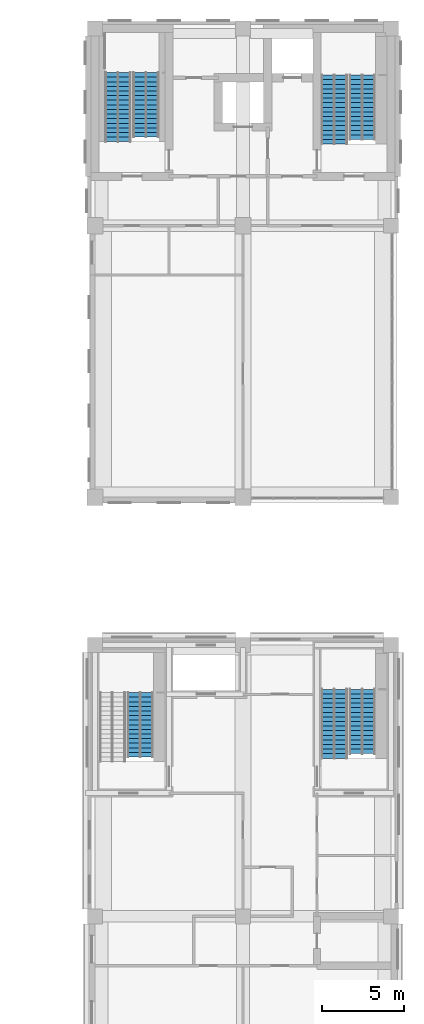
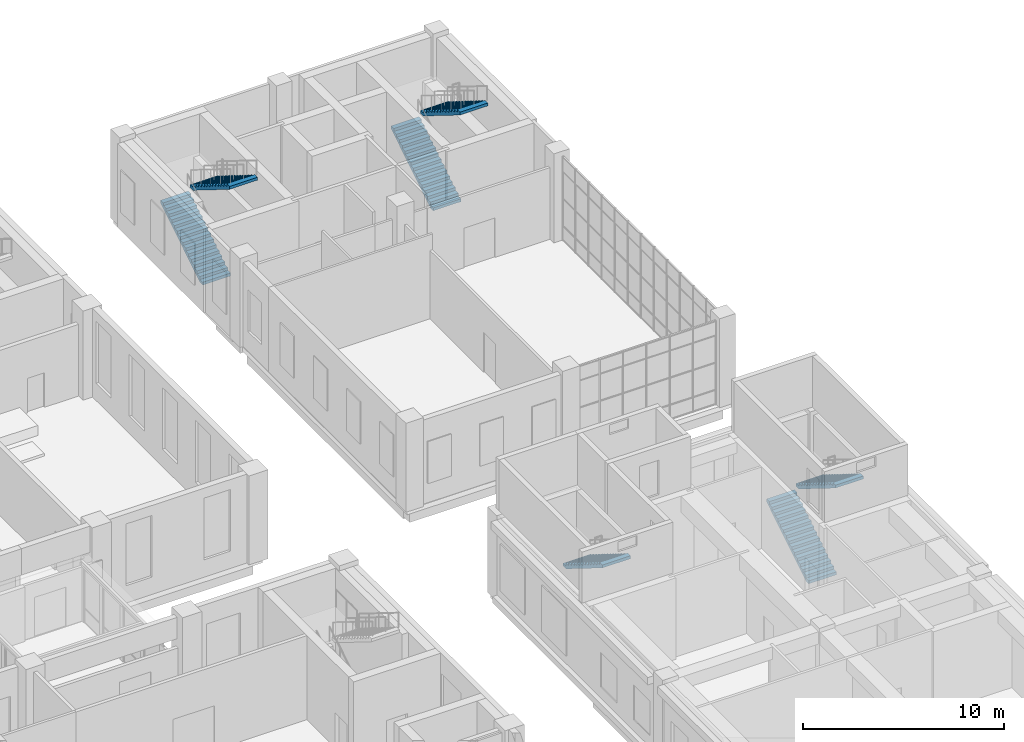
# One storey, part 41 of 52: 7 stair flights, 4 elements without a shape of their own.
"""IFC4 building model written with IfcOpenShell, lengths in metres."""

from ifc_helpers import new_model, si_unit, direction, frame, origin, place, context, subcontext, project, spatial, polyline, outline, extrude, material, type_object, element, aggregate, save


model = new_model("IFC4")

# Units and contexts
model_context = context("Model", 3, precision=1e-05, world=origin(), true_north=direction((0.0, 1.0)))
body_context = subcontext(model_context, "Body", "Model", "MODEL_VIEW")
ifc_project = project(units=[si_unit("LENGTHUNIT", "METRE"), si_unit("AREAUNIT", "SQUARE_METRE"), si_unit("VOLUMEUNIT", "CUBIC_METRE"), si_unit("PLANEANGLEUNIT", "RADIAN"), si_unit("MASSUNIT", "GRAM", prefix="KILO")], contexts=[model_context])

# Site, building, storey
site_placement = place(None, origin())
site = spatial("IfcSite", under=ifc_project, at=site_placement, CompositionType="ELEMENT")
building_placement = place(site_placement, origin())
building = spatial("IfcBuilding", under=site, at=building_placement, Name="Aurelan Courthouse", CompositionType="ELEMENT")
storey_placement = place(building_placement, frame((0.0, 0.0, 6.60009765625)))
storey = spatial("IfcBuildingStorey", under=building, at=storey_placement, Name="L01", CompositionType="ELEMENT", Elevation=6.60009765625)

# Stair, stair flights
ifc_material = material(Name="Concrete C30", Category="concrete")
stair_type = type_object("IfcStairType", Name="Half-turn stair 1600 wide 31 risers", PredefinedType="HALF_TURN_STAIR", material=ifc_material)
stair_1_placement = place(storey_placement, origin())
stair_1 = element("IfcStair", 1, at=stair_1_placement, inside=storey, type_object=stair_type, Name="Stair ST-3A-L01", PredefinedType="HALF_TURN_STAIR")
stair_flight_type = type_object("IfcStairFlightType", Name="Stair flight 1600 wide 16 risers", PredefinedType="STRAIGHT", material=ifc_material)
stair_flight_1_placement = place(storey_placement, frame((73.39990234375, 59.110107421875, 0.0), z_axis=(0.0, 0.0, 1.0), x_axis=(0.0, 1.0, 0.0)))
stair_flight_1 = element("IfcStairFlight", 2, at=stair_flight_1_placement, type_object=stair_flight_type, Name="Stair ST-3A-L01 flight 1", NumberOfRisers=16, NumberOfTreads=15, PredefinedType="STRAIGHT", RiserHeight=0.174193548, TreadLength=0.28, context=body_context, shape_type="SweptSolid", body=[
    extrude(outline(polyline([(0.0, 0.0), (0.0, 0.174072265625), (0.280029296875, 0.174072265625), (0.280029296875, 0.348388671875), (0.56005859375, 0.348388671875), (0.56005859375, 0.5224609375), (0.840087890625, 0.5224609375), (0.840087890625, 0.69677734375), (1.1201171875, 0.69677734375), (1.1201171875, 0.870849609375), (1.39990234375, 0.870849609375), (1.39990234375, 1.045166015625), (1.679931640625, 1.045166015625), (1.679931640625, 1.21923828125), (1.9599609375, 1.21923828125), (1.9599609375, 1.3935546875), (2.239990234375, 1.3935546875), (2.239990234375, 1.567626953125), (2.52001953125, 1.567626953125), (2.52001953125, 1.741943359375), (2.800048828125, 1.741943359375), (2.800048828125, 1.916015625), (3.080078125, 1.916015625), (3.080078125, 2.09033203125), (3.360107421875, 2.09033203125), (3.360107421875, 2.264404296875), (3.639892578125, 2.264404296875), (3.639892578125, 2.438720703125), (3.919921875, 2.438720703125), (3.919921875, 2.61279296875), (4.199951171875, 2.61279296875), (4.199951171875, 2.787109375), (4.199951171875, 2.436279296875), (0.28369140625, 0.0), (0.0, 0.0)])), frame((0.0, 0.800048828125, 0.0), z_axis=(0.0, -1.0, 0.0), x_axis=(1.0, 0.0, 0.0)), (0.0, 0.0, 1.0), 1.60009765625),
])
stair_flight_2_placement = place(storey_placement, frame((75.10009765625, 63.31005859375, 2.787109375), z_axis=(0.0, 0.0, 1.0), x_axis=(0.0, -1.0, 0.0)))
stair_flight_2 = element("IfcStairFlight", 3, at=stair_flight_2_placement, type_object=stair_flight_type, Name="Stair ST-3A-L01 flight 2", NumberOfRisers=15, NumberOfTreads=14, PredefinedType="STRAIGHT", RiserHeight=0.174193548, TreadLength=0.28, context=body_context, shape_type="SweptSolid", body=[
    extrude(outline(polyline([(0.0, 0.0), (0.0, 0.174072265625), (0.280029296875, 0.174072265625), (0.280029296875, 0.348388671875), (0.56005859375, 0.348388671875), (0.56005859375, 0.5224609375), (0.840087890625, 0.5224609375), (0.840087890625, 0.69677734375), (1.1201171875, 0.69677734375), (1.1201171875, 0.870849609375), (1.39990234375, 0.870849609375), (1.39990234375, 1.045166015625), (1.679931640625, 1.045166015625), (1.679931640625, 1.21923828125), (1.9599609375, 1.21923828125), (1.9599609375, 1.3935546875), (2.239990234375, 1.3935546875), (2.239990234375, 1.567626953125), (2.52001953125, 1.567626953125), (2.52001953125, 1.741943359375), (2.800048828125, 1.741943359375), (2.800048828125, 1.916015625), (3.080078125, 1.916015625), (3.080078125, 2.09033203125), (3.360107421875, 2.09033203125), (3.360107421875, 2.264404296875), (3.639892578125, 2.264404296875), (3.639892578125, 2.438720703125), (3.919921875, 2.438720703125), (3.919921875, 2.61279296875), (3.919921875, 2.26220703125), (0.28369140625, 0.0), (0.0, 0.0)])), frame((0.0, 0.800048828125, 0.0), z_axis=(0.0, -1.0, 0.0), x_axis=(1.0, 0.0, 0.0)), (0.0, 0.0, 1.0), 1.60009765625),
])
aggregate(stair_1, [stair_flight_1, stair_flight_2])

stair_2_placement = place(storey_placement, origin())
stair_2 = element("IfcStair", 4, at=stair_2_placement, inside=storey, type_object=stair_type, Name="Stair ST-3B-L01", PredefinedType="HALF_TURN_STAIR")
stair_flight_3_placement = place(storey_placement, frame((86.550048828125, 58.9599609375, 0.0), z_axis=(0.0, 0.0, 1.0), x_axis=(0.0, 1.0, 0.0)))
stair_flight_3 = element("IfcStairFlight", 5, at=stair_flight_3_placement, type_object=stair_flight_type, Name="Stair ST-3B-L01 flight 1", NumberOfRisers=16, NumberOfTreads=15, PredefinedType="STRAIGHT", RiserHeight=0.174193548, TreadLength=0.28, context=body_context, shape_type="SweptSolid", body=[
    extrude(outline(polyline([(0.0, 0.0), (0.0, 0.174072265625), (0.280029296875, 0.174072265625), (0.280029296875, 0.348388671875), (0.56005859375, 0.348388671875), (0.56005859375, 0.5224609375), (0.840087890625, 0.5224609375), (0.840087890625, 0.69677734375), (1.1201171875, 0.69677734375), (1.1201171875, 0.870849609375), (1.39990234375, 0.870849609375), (1.39990234375, 1.045166015625), (1.679931640625, 1.045166015625), (1.679931640625, 1.21923828125), (1.9599609375, 1.21923828125), (1.9599609375, 1.3935546875), (2.239990234375, 1.3935546875), (2.239990234375, 1.567626953125), (2.52001953125, 1.567626953125), (2.52001953125, 1.741943359375), (2.800048828125, 1.741943359375), (2.800048828125, 1.916015625), (3.080078125, 1.916015625), (3.080078125, 2.09033203125), (3.360107421875, 2.09033203125), (3.360107421875, 2.264404296875), (3.639892578125, 2.264404296875), (3.639892578125, 2.438720703125), (3.919921875, 2.438720703125), (3.919921875, 2.61279296875), (4.199951171875, 2.61279296875), (4.199951171875, 2.787109375), (4.199951171875, 2.436279296875), (0.28369140625, 0.0), (0.0, 0.0)])), frame((0.0, 0.800048828125, 0.0), z_axis=(0.0, -1.0, 0.0), x_axis=(1.0, 0.0, 0.0)), (0.0, 0.0, 1.0), 1.60009765625),
])
stair_flight_4_placement = place(storey_placement, frame((88.25, 63.159912109375, 2.787109375), z_axis=(0.0, 0.0, 1.0), x_axis=(0.0, -1.0, 0.0)))
stair_flight_4 = element("IfcStairFlight", 6, at=stair_flight_4_placement, type_object=stair_flight_type, Name="Stair ST-3B-L01 flight 2", NumberOfRisers=15, NumberOfTreads=14, PredefinedType="STRAIGHT", RiserHeight=0.174193548, TreadLength=0.28, context=body_context, shape_type="SweptSolid", body=[
    extrude(outline(polyline([(0.0, 0.0), (0.0, 0.174072265625), (0.280029296875, 0.174072265625), (0.280029296875, 0.348388671875), (0.56005859375, 0.348388671875), (0.56005859375, 0.5224609375), (0.840087890625, 0.5224609375), (0.840087890625, 0.69677734375), (1.1201171875, 0.69677734375), (1.1201171875, 0.870849609375), (1.39990234375, 0.870849609375), (1.39990234375, 1.045166015625), (1.679931640625, 1.045166015625), (1.679931640625, 1.21923828125), (1.9599609375, 1.21923828125), (1.9599609375, 1.3935546875), (2.239990234375, 1.3935546875), (2.239990234375, 1.567626953125), (2.52001953125, 1.567626953125), (2.52001953125, 1.741943359375), (2.800048828125, 1.741943359375), (2.800048828125, 1.916015625), (3.080078125, 1.916015625), (3.080078125, 2.09033203125), (3.360107421875, 2.09033203125), (3.360107421875, 2.264404296875), (3.639892578125, 2.264404296875), (3.639892578125, 2.438720703125), (3.919921875, 2.438720703125), (3.919921875, 2.61279296875), (3.919921875, 2.26220703125), (0.28369140625, 0.0), (0.0, 0.0)])), frame((0.0, 0.800048828125, 0.0), z_axis=(0.0, -1.0, 0.0), x_axis=(1.0, 0.0, 0.0)), (0.0, 0.0, 1.0), 1.60009765625),
])
aggregate(stair_2, [stair_flight_3, stair_flight_4])

# Stair, stair flight
stair_3_placement = place(storey_placement, origin())
stair_3 = element("IfcStair", 7, at=stair_3_placement, inside=storey, type_object=stair_type, Name="Stair ST-4A-L01", PredefinedType="HALF_TURN_STAIR")
stair_flight_5_placement = place(storey_placement, frame((74.75, 25.610107421875, 2.787109375), z_axis=(0.0, 0.0, 1.0), x_axis=(0.0, -1.0, 0.0)))
stair_flight_5 = element("IfcStairFlight", 8, at=stair_flight_5_placement, type_object=stair_flight_type, Name="Stair ST-4A-L01 flight 2", NumberOfRisers=15, NumberOfTreads=14, PredefinedType="STRAIGHT", RiserHeight=0.174193548, TreadLength=0.28, context=body_context, shape_type="SweptSolid", body=[
    extrude(outline(polyline([(0.0, 0.0), (0.0, 0.174072265625), (0.280029296875, 0.174072265625), (0.280029296875, 0.348388671875), (0.56005859375, 0.348388671875), (0.56005859375, 0.5224609375), (0.840087890625, 0.5224609375), (0.840087890625, 0.69677734375), (1.1201171875, 0.69677734375), (1.1201171875, 0.870849609375), (1.39990234375, 0.870849609375), (1.39990234375, 1.045166015625), (1.679931640625, 1.045166015625), (1.679931640625, 1.21923828125), (1.9599609375, 1.21923828125), (1.9599609375, 1.3935546875), (2.239990234375, 1.3935546875), (2.239990234375, 1.567626953125), (2.52001953125, 1.567626953125), (2.52001953125, 1.741943359375), (2.800048828125, 1.741943359375), (2.800048828125, 1.916015625), (3.080078125, 1.916015625), (3.080078125, 2.09033203125), (3.360107421875, 2.09033203125), (3.360107421875, 2.264404296875), (3.639892578125, 2.264404296875), (3.639892578125, 2.438720703125), (3.919921875, 2.438720703125), (3.919921875, 2.61279296875), (3.919921875, 2.26220703125), (0.28369140625, 0.0), (0.0, 0.0)])), frame((0.0, 0.800048828125, 0.0), z_axis=(0.0, -1.0, 0.0), x_axis=(1.0, 0.0, 0.0)), (0.0, 0.0, 1.0), 1.60009765625),
])
aggregate(stair_3, [stair_flight_5])

# Stair, stair flights
stair_4_placement = place(storey_placement, origin())
stair_4 = element("IfcStair", 9, at=stair_4_placement, inside=storey, type_object=stair_type, Name="Stair ST-4B-L01", PredefinedType="HALF_TURN_STAIR")
stair_flight_6_placement = place(storey_placement, frame((86.550048828125, 21.610107421875, 0.0), z_axis=(0.0, 0.0, 1.0), x_axis=(0.0, 1.0, 0.0)))
stair_flight_6 = element("IfcStairFlight", 10, at=stair_flight_6_placement, type_object=stair_flight_type, Name="Stair ST-4B-L01 flight 1", NumberOfRisers=16, NumberOfTreads=15, PredefinedType="STRAIGHT", RiserHeight=0.174193548, TreadLength=0.28, context=body_context, shape_type="SweptSolid", body=[
    extrude(outline(polyline([(0.0, 0.0), (0.0, 0.174072265625), (0.280029296875, 0.174072265625), (0.280029296875, 0.348388671875), (0.56005859375, 0.348388671875), (0.56005859375, 0.5224609375), (0.840087890625, 0.5224609375), (0.840087890625, 0.69677734375), (1.1201171875, 0.69677734375), (1.1201171875, 0.870849609375), (1.39990234375, 0.870849609375), (1.39990234375, 1.045166015625), (1.679931640625, 1.045166015625), (1.679931640625, 1.21923828125), (1.9599609375, 1.21923828125), (1.9599609375, 1.3935546875), (2.239990234375, 1.3935546875), (2.239990234375, 1.567626953125), (2.52001953125, 1.567626953125), (2.52001953125, 1.741943359375), (2.800048828125, 1.741943359375), (2.800048828125, 1.916015625), (3.080078125, 1.916015625), (3.080078125, 2.09033203125), (3.360107421875, 2.09033203125), (3.360107421875, 2.264404296875), (3.639892578125, 2.264404296875), (3.639892578125, 2.438720703125), (3.919921875, 2.438720703125), (3.919921875, 2.61279296875), (4.199951171875, 2.61279296875), (4.199951171875, 2.787109375), (4.199951171875, 2.436279296875), (0.28369140625, 0.0), (0.0, 0.0)])), frame((0.0, 0.800048828125, 0.0), z_axis=(0.0, -1.0, 0.0), x_axis=(1.0, 0.0, 0.0)), (0.0, 0.0, 1.0), 1.60009765625),
])
stair_flight_7_placement = place(storey_placement, frame((88.25, 25.81005859375, 2.787109375), z_axis=(0.0, 0.0, 1.0), x_axis=(0.0, -1.0, 0.0)))
stair_flight_7 = element("IfcStairFlight", 11, at=stair_flight_7_placement, type_object=stair_flight_type, Name="Stair ST-4B-L01 flight 2", NumberOfRisers=15, NumberOfTreads=14, PredefinedType="STRAIGHT", RiserHeight=0.174193548, TreadLength=0.28, context=body_context, shape_type="SweptSolid", body=[
    extrude(outline(polyline([(0.0, 0.0), (0.0, 0.174072265625), (0.280029296875, 0.174072265625), (0.280029296875, 0.348388671875), (0.56005859375, 0.348388671875), (0.56005859375, 0.5224609375), (0.840087890625, 0.5224609375), (0.840087890625, 0.69677734375), (1.1201171875, 0.69677734375), (1.1201171875, 0.870849609375), (1.39990234375, 0.870849609375), (1.39990234375, 1.045166015625), (1.679931640625, 1.045166015625), (1.679931640625, 1.21923828125), (1.9599609375, 1.21923828125), (1.9599609375, 1.3935546875), (2.239990234375, 1.3935546875), (2.239990234375, 1.567626953125), (2.52001953125, 1.567626953125), (2.52001953125, 1.741943359375), (2.800048828125, 1.741943359375), (2.800048828125, 1.916015625), (3.080078125, 1.916015625), (3.080078125, 2.09033203125), (3.360107421875, 2.09033203125), (3.360107421875, 2.264404296875), (3.639892578125, 2.264404296875), (3.639892578125, 2.438720703125), (3.919921875, 2.438720703125), (3.919921875, 2.61279296875), (3.919921875, 2.26220703125), (0.28369140625, 0.0), (0.0, 0.0)])), frame((0.0, 0.800048828125, 0.0), z_axis=(0.0, -1.0, 0.0), x_axis=(1.0, 0.0, 0.0)), (0.0, 0.0, 1.0), 1.60009765625),
])
aggregate(stair_4, [stair_flight_6, stair_flight_7])

save(model, "model.ifc")
